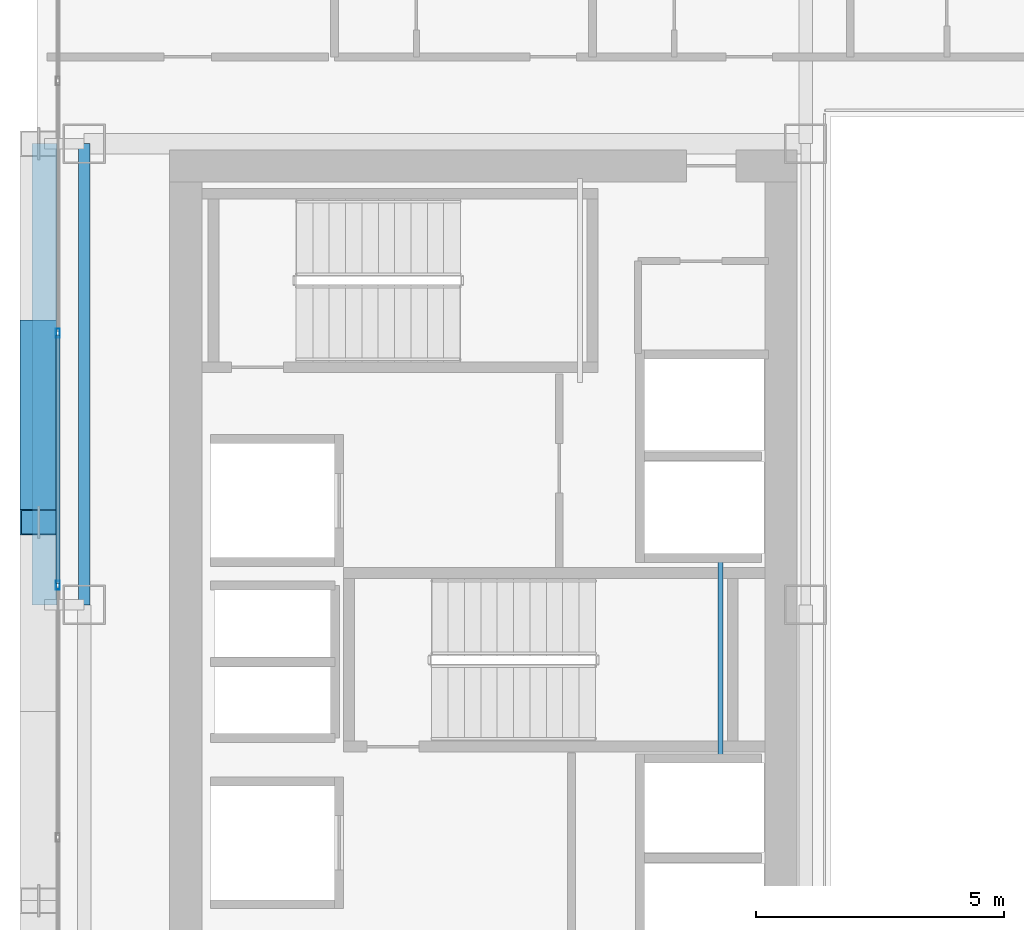
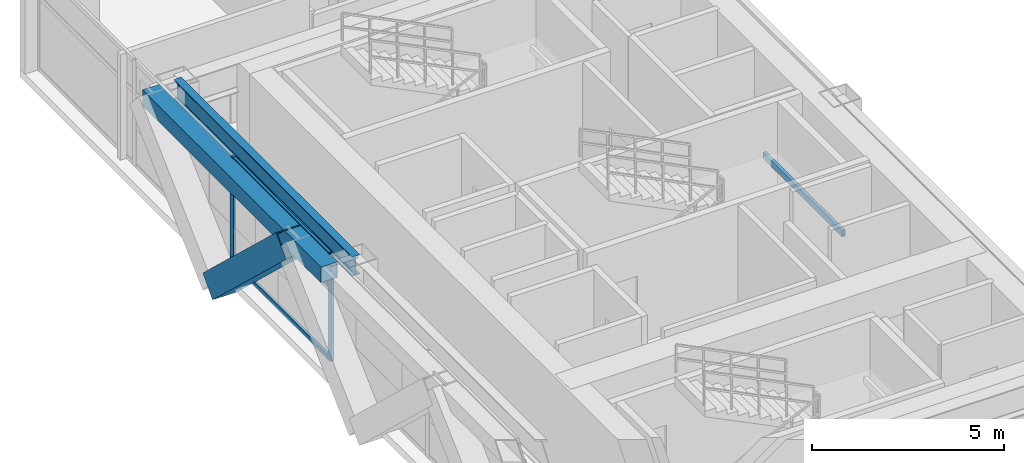
# One storey, part 8 of 35: 6 members, 3 beams, 1 element without a shape of its own.
"""IFC4 building model written with IfcOpenShell, lengths in metres."""

from ifc_helpers import new_model, si_unit, direction, frame, origin, origin_2d, place, context, subcontext, project, spatial, hollow_rectangle, i_section, extrude, source, transform, mapped, material, layer, layer_set, material_profile, profile_set, type_object, element, aggregate, save


model = new_model("IFC4")

# Units and contexts
model_context = context("Model", 3, precision=1e-05, world=origin(), true_north=direction((0.0, 1.0)))
body_context = subcontext(model_context, "Body", "Model", "MODEL_VIEW")
ifc_project = project(units=[si_unit("LENGTHUNIT", "METRE"), si_unit("AREAUNIT", "SQUARE_METRE"), si_unit("VOLUMEUNIT", "CUBIC_METRE"), si_unit("PLANEANGLEUNIT", "RADIAN"), si_unit("MASSUNIT", "GRAM", prefix="KILO")], contexts=[model_context])

# Site, building, storey
site_placement = place(None, origin())
site = spatial("IfcSite", under=ifc_project, at=site_placement, CompositionType="ELEMENT")
building_placement = place(site_placement, origin())
building = spatial("IfcBuilding", under=site, at=building_placement, Name="Ocotamira Hotel", CompositionType="ELEMENT")
storey_placement = place(building_placement, frame((0.0, 0.0, 100.800048828125)))
storey = spatial("IfcBuildingStorey", under=building, at=storey_placement, Name="L24", CompositionType="ELEMENT", Elevation=100.800048828125)

# Beams
ifc_material_1 = material(Name="Steel ASTM A500 Grade C", Category="steel")
ifc_material_profile_1 = material_profile(ifc_material_1, hollow_rectangle(XDim=0.10009765625, YDim=0.199951171875, WallThickness=0.008056640625, at=origin_2d()), Name="HSS200X100X8")
ifc_profile_set_1 = profile_set([ifc_material_profile_1], Name="Steel ASTM A500 Grade C")
beam_type_1 = type_object("IfcBeamType", Name="BM-STLDG-HSS200", PredefinedType="BEAM", material=ifc_profile_set_1)
shared_shape_1 = source(origin(), body_context, "Body", "SweptSolid", [
    extrude(hollow_rectangle(XDim=0.10009765625, YDim=0.199951171875, WallThickness=0.008056640625, at=origin_2d()), origin(), (0.0, 0.0, 1.0), 4.1201171875),
])
beam_1_placement = place(storey_placement, frame((21.780029296875, 24.97998046875, 1.5), z_axis=(0.0, 1.0, 0.0), x_axis=(-1.0, 0.0, 0.0)))
element("IfcBeam", 1, at=beam_1_placement, inside=storey, type_object=beam_type_1, Name="L24 Stair ST-3 Landing Bearer 1", PredefinedType="BEAM", context=body_context, shape_type="MappedRepresentation", body=[
    mapped(shared_shape_1, transform((0.0, 0.0, 0.0), scale=1.0)),
])
ifc_material_2 = material(Name="Steel ASTM A992 Grade 50", Category="steel")
ifc_material_profile_2 = material_profile(ifc_material_2, i_section(OverallWidth=0.22998046875, OverallDepth=0.616943359375, WebThickness=0.01318359375, FlangeThickness=0.022216796875, FilletRadius=0.012939453125, at=origin_2d()), Name="W24X94")
ifc_profile_set_2 = profile_set([ifc_material_profile_2], Name="Steel ASTM A992 Grade 50")
beam_type_2 = type_object("IfcBeamType", Name="BM-PRIM-W24X94", PredefinedType="BEAM", material=ifc_profile_set_2)
shared_shape_2 = source(origin(), body_context, "Body", "SweptSolid", [
    extrude(i_section(OverallWidth=0.22998046875, OverallDepth=0.616943359375, WebThickness=0.01318359375, FlangeThickness=0.022216796875, FilletRadius=0.012939453125, at=origin_2d()), origin(), (0.0, 0.0, 1.0), 9.300048828125),
])
beam_2_placement = place(storey_placement, frame((8.949951171875, 28.14990234375, 3.051513671875), z_axis=(0.0, 1.0, 0.0), x_axis=(-1.0, 0.0, 0.0)))
element("IfcBeam", 2, at=beam_2_placement, inside=storey, type_object=beam_type_2, Name="L24 Beam X8.95 Y28.15-37.45", PredefinedType="BEAM", context=body_context, shape_type="MappedRepresentation", body=[
    mapped(shared_shape_2, transform((0.0, 0.0, 0.0), scale=1.0)),
])
ifc_material_profile_3 = material_profile(ifc_material_1, hollow_rectangle(XDim=0.5, YDim=0.5, WallThickness=0.02001953125, at=origin_2d()), Name="HSS500X500X20")
ifc_profile_set_3 = profile_set([ifc_material_profile_3], Name="Steel ASTM A500 Grade C")
beam_type_3 = type_object("IfcBeamType", Name="BM-SPAN-HSS500", PredefinedType="USERDEFINED", material=ifc_profile_set_3)
shared_shape_3 = source(origin(), body_context, "Body", "SweptSolid", [
    extrude(hollow_rectangle(XDim=0.5, YDim=0.5, WallThickness=0.02001953125, at=origin_2d()), origin(), (0.0, 0.0, 1.0), 9.300048828125),
])
beam_3_placement = place(storey_placement, frame((8.14990234375, 28.14990234375, 3.10986328125), z_axis=(0.0, 1.0, 0.0), x_axis=(-1.0, 0.0, 0.0)))
element("IfcBeam", 3, at=beam_3_placement, inside=storey, type_object=beam_type_3, Name="L24 Edge Spandrel W Y28.15-37.45", ObjectType="SPANDREL", PredefinedType="USERDEFINED", context=body_context, shape_type="MappedRepresentation", body=[
    mapped(shared_shape_3, transform((0.0, 0.0, 0.0), scale=1.0)),
])

# Member
ifc_material_3 = material(Name="Pale-metal coated steel ASTM A913 Grade 65", Category="steel")
ifc_material_profile_4 = material_profile(ifc_material_3, hollow_rectangle(XDim=0.75, YDim=0.75, WallThickness=0.028076171875, at=origin_2d()), Name="BOX750X750X28")
ifc_profile_set_4 = profile_set([ifc_material_profile_4], Name="Pale-metal coated steel ASTM A913 Grade 65")
member_type_1 = type_object("IfcMemberType", Name="MEM-EXO-BOX750", PredefinedType="BRACE", material=ifc_profile_set_4)
shared_shape_4 = source(origin(), body_context, "Body", "SweptSolid", [
    extrude(hollow_rectangle(XDim=0.75, YDim=0.75, WallThickness=0.028076171875, at=origin_2d()), origin(), (0.0, 0.0, 1.0), 5.24658203125),
])
member_1_placement = place(storey_placement, frame((8.030029296875, 33.63330078125, -0.489990234375), z_axis=(0.0, -0.72746596067, 0.686143772154), x_axis=(1.0, 0.0, 0.0)))
element("IfcMember", 4, at=member_1_placement, inside=storey, type_object=member_type_1, Name="L24 Exoskeleton Diagrid W2.1", PredefinedType="BRACE", context=body_context, shape_type="MappedRepresentation", body=[
    mapped(shared_shape_4, transform((0.0, 0.0, 0.0), scale=1.0)),
])

# Curtain wall, members
ifc_material_4 = material(Name="Anodised pale-metal aluminium and solar glass", Category="aluminium")
ifc_layer = layer(ifc_material_4, 0.179931640625)
ifc_layer_set = layer_set([ifc_layer], Name="Anodised pale-metal aluminium and solar glass")
curtain_wall_type = type_object("IfcCurtainWallType", Name="CW-SYS3-Z2", PredefinedType="NOTDEFINED", material=ifc_layer_set)
curtain_wall_placement = place(storey_placement, origin())
curtain_wall = element("IfcCurtainWall", 5, at=curtain_wall_placement, inside=storey, type_object=curtain_wall_type, Name="L24 Curtain Wall CW-3 CW-L24-W", PredefinedType="NOTDEFINED")
ifc_material_5 = material(Name="Anodised pale-metal aluminium 6063-T6", Category="aluminium")
ifc_material_profile_5 = material_profile(ifc_material_5, hollow_rectangle(XDim=0.074951171875, YDim=0.14990234375, WallThickness=0.006103515625, at=origin_2d()), Name="HSS150X75X6")
ifc_profile_set_5 = profile_set([ifc_material_profile_5], Name="Anodised pale-metal aluminium 6063-T6")
member_type_2 = type_object("IfcMemberType", Name="CWT-150X75", PredefinedType="USERDEFINED", material=ifc_profile_set_5)
shared_shape_5 = source(origin(), body_context, "Body", "SweptSolid", [
    extrude(hollow_rectangle(XDim=0.074951171875, YDim=0.14990234375, WallThickness=0.006103515625, at=origin_2d()), origin(), (0.0, 0.0, 1.0), 5.005859375),
])
member_2_placement = place(storey_placement, frame((8.419921875, 28.582763671875, 0.037353515625), z_axis=(0.0, 1.0, 0.0), x_axis=(-1.0, 0.0, 0.0)))
member_2 = element("IfcMember", 6, at=member_2_placement, type_object=member_type_2, Name="CW-3 transom 5.1", ObjectType="TRANSOM", PredefinedType="USERDEFINED", context=body_context, shape_type="MappedRepresentation", body=[
    mapped(shared_shape_5, transform((0.0, 0.0, 0.0), scale=1.0)),
])
member_3_placement = place(storey_placement, frame((8.419921875, 28.582763671875, 2.349853515625), z_axis=(0.0, 1.0, 0.0), x_axis=(-1.0, 0.0, 0.0)))
member_3 = element("IfcMember", 7, at=member_3_placement, type_object=member_type_2, Name="CW-3 transom 5.2", ObjectType="TRANSOM", PredefinedType="USERDEFINED", context=body_context, shape_type="MappedRepresentation", body=[
    mapped(shared_shape_5, transform((0.0, 0.0, 0.0), scale=1.0)),
])
member_4_placement = place(storey_placement, frame((8.419921875, 28.582763671875, 3.322509765625), z_axis=(0.0, 1.0, 0.0), x_axis=(-1.0, 0.0, 0.0)))
member_4 = element("IfcMember", 8, at=member_4_placement, type_object=member_type_2, Name="CW-3 transom 5.3", ObjectType="TRANSOM", PredefinedType="USERDEFINED", context=body_context, shape_type="MappedRepresentation", body=[
    mapped(shared_shape_5, transform((0.0, 0.0, 0.0), scale=1.0)),
])
ifc_material_profile_6 = material_profile(ifc_material_5, hollow_rectangle(XDim=0.080078125, YDim=0.179931640625, WallThickness=0.006103515625, at=origin_2d()), Name="HSS180X80X6")
ifc_profile_set_6 = profile_set([ifc_material_profile_6], Name="Anodised pale-metal aluminium 6063-T6")
member_type_3 = type_object("IfcMemberType", Name="CWM-180X75", PredefinedType="MULLION", material=ifc_profile_set_6)
shared_shape_6 = source(origin(), body_context, "Body", "SweptSolid", [
    extrude(hollow_rectangle(XDim=0.080078125, YDim=0.179931640625, WallThickness=0.006103515625, at=origin_2d()), origin(), (0.0, 0.0, 1.0), 3.35986328125),
])
member_5_placement = place(storey_placement, frame((8.419921875, 28.54296875, 0.0), z_axis=(0.0, 0.0, 1.0), x_axis=(-1.0, 0.0, 0.0)))
member_5 = element("IfcMember", 9, at=member_5_placement, type_object=member_type_3, Name="CW-3 mullion 5", PredefinedType="MULLION", context=body_context, shape_type="MappedRepresentation", body=[
    mapped(shared_shape_6, transform((0.0, 0.0, 0.0), scale=1.0)),
])
member_6_placement = place(storey_placement, frame((8.419921875, 33.628662109375, 0.0), z_axis=(0.0, 0.0, 1.0), x_axis=(-1.0, 0.0, 0.0)))
member_6 = element("IfcMember", 10, at=member_6_placement, type_object=member_type_3, Name="CW-3 mullion 6", PredefinedType="MULLION", context=body_context, shape_type="MappedRepresentation", body=[
    mapped(shared_shape_6, transform((0.0, 0.0, 0.0), scale=1.0)),
])
aggregate(curtain_wall, [member_5, member_6, member_2, member_3, member_4])

save(model, "model.ifc")
